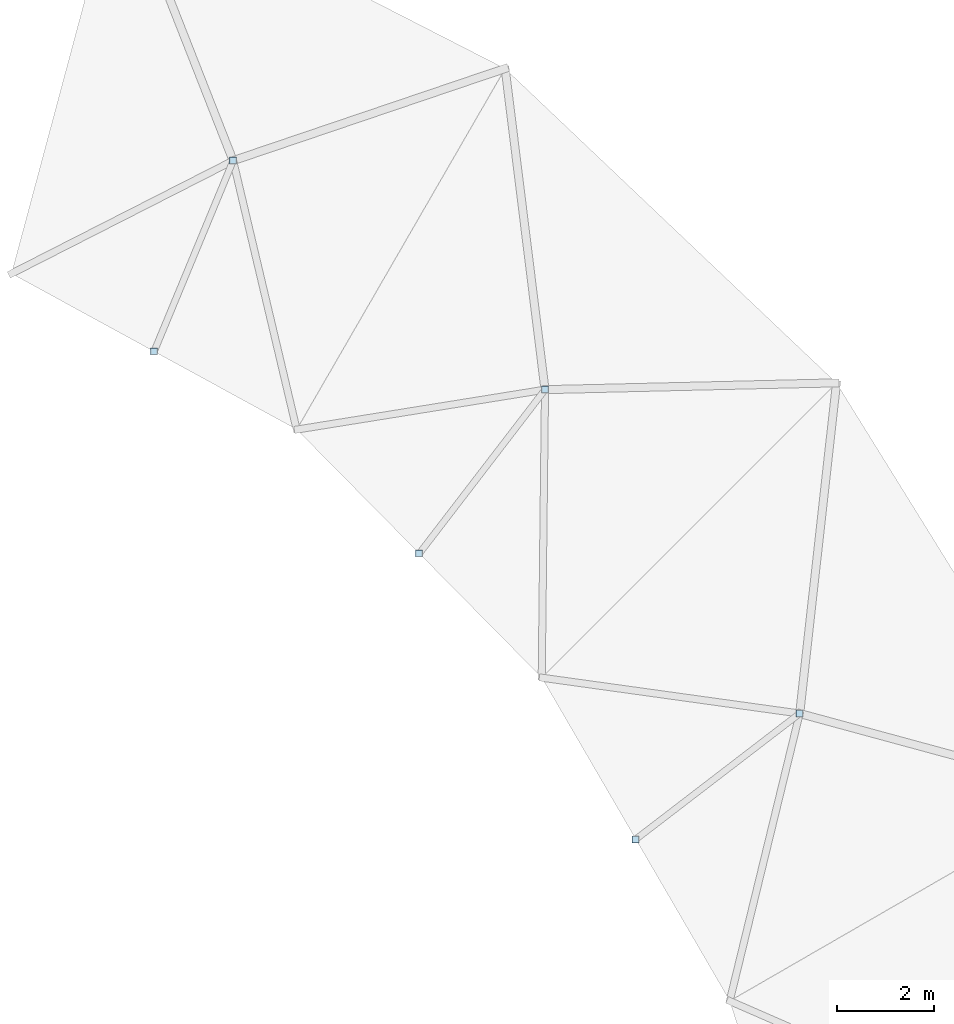
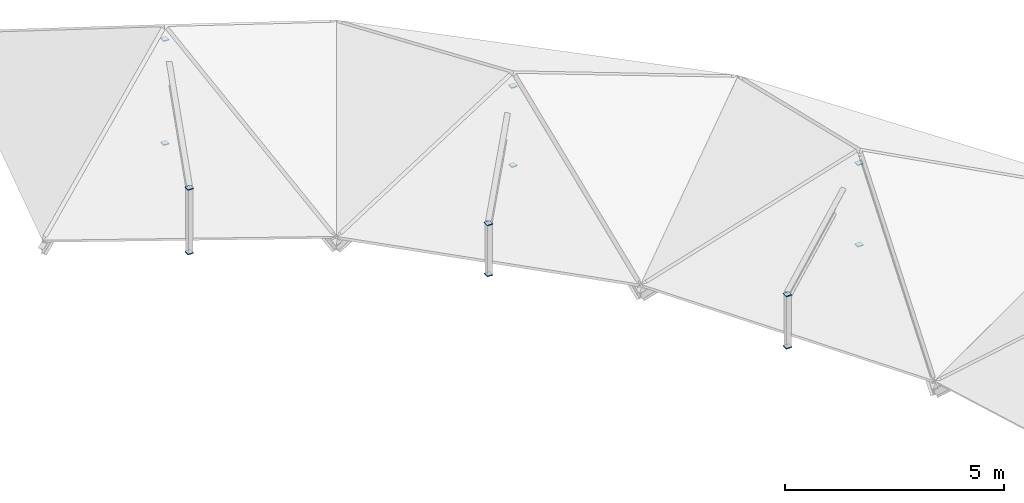
# One storey, part 24 of 28: 12 plates.
"""IFC4 building model written with IfcOpenShell, lengths in metres."""

from ifc_helpers import new_model, si_unit, direction, frame, origin, origin_2d, place, context, subcontext, project, spatial, rectangle, extrude, material, layer, layer_set, type_object, element, save


model = new_model("IFC4")

# Units and contexts
model_context = context("Model", 3, precision=1e-05, world=origin(), true_north=direction((0.0, 1.0)))
body_context = subcontext(model_context, "Body", "Model", "MODEL_VIEW")
ifc_project = project(units=[si_unit("LENGTHUNIT", "METRE"), si_unit("AREAUNIT", "SQUARE_METRE"), si_unit("VOLUMEUNIT", "CUBIC_METRE"), si_unit("PLANEANGLEUNIT", "RADIAN"), si_unit("MASSUNIT", "GRAM", prefix="KILO")], contexts=[model_context])

# Site, building, storey
site_placement = place(None, origin())
site = spatial("IfcSite", under=ifc_project, at=site_placement, CompositionType="ELEMENT")
building_placement = place(site_placement, origin())
building = spatial("IfcBuilding", under=site, at=building_placement, Name="Karori Crest Natural Sciences Institute", CompositionType="ELEMENT")
storey_placement = place(building_placement, frame((0.0, 0.0, 34.300048828125)))
storey = spatial("IfcBuildingStorey", under=building, at=storey_placement, Name="L08", CompositionType="ELEMENT", Elevation=34.300048828125)

# Plates
ifc_material = material(Name="Structural steel AS/NZS 3679.1 Grade 350", Category="steel")
ifc_layer = layer(ifc_material, 0.02490234375, Name="Structural steel AS/NZS 3679.1 Grade 350")
ifc_layer_set = layer_set([ifc_layer], Name="Structural steel AS/NZS 3679.1 Grade 350")
plate_type = type_object("IfcPlateType", Name="PLT-06-EL", PredefinedType="SHEET", material=ifc_layer_set)
for number, where, z_axis, x_axis, name in (
    (1, (88.974365234375, 71.9296875, -0.27001953125), (0.0, 0.0, 1.0), (1.0, 0.0, 0.0), "Hollow section end cap EP-0065"),
    (2, (88.974365234375, 71.9296875, 1.998046875), (0.0, 0.0, 1.0), (1.0, 0.0, 0.0), "Hollow section end cap EP-0066"),
    (3, (85.59228515625, 69.33447265625, -0.347900390625), (0.0, 0.0, 1.0), (1.0, 0.0, 0.0), "Hollow section end cap EP-0067"),
    (4, (85.59228515625, 69.33447265625, 1.10400390625), (0.0, 0.0, 1.0), (1.0, 0.0, 0.0), "Hollow section end cap EP-0068"),
    (5, (83.721923828125, 78.609619140625, -0.27001953125), (0.0, 0.0, 1.0), (1.0, 0.0, 0.0), "Hollow section end cap EP-0069"),
    (6, (83.721923828125, 78.609619140625, 1.93408203125), (0.0, 0.0, 1.0), (1.0, 0.0, 0.0), "Hollow section end cap EP-0070"),
    (7, (81.126708984375, 75.227294921875, -0.347900390625), (0.0, 0.0, 1.0), (1.0, 0.0, 0.0), "Hollow section end cap EP-0071"),
    (8, (81.126708984375, 75.227294921875, 1.068115234375), (0.0, 0.0, 1.0), (1.0, 0.0, 0.0), "Hollow section end cap EP-0072"),
    (9, (77.2890625, 83.3330078125, -0.27001953125), (0.0, 0.0, 1.0), (1.0, 0.0, 0.0), "Hollow section end cap EP-0073"),
    (10, (77.2890625, 83.3330078125, 2.6240234375), (0.0, 0.0, 1.0), (1.0, 0.0, 0.0), "Hollow section end cap EP-0074"),
    (11, (75.65771484375, 79.394287109375, -0.347900390625), (0.0, 0.0, 1.0), (1.0, 0.0, 0.0), "Hollow section end cap EP-0075"),
    (12, (75.65771484375, 79.394287109375, 1.445068359375), (0.0, 0.0, 1.0), (1.0, 0.0, 0.0), "Hollow section end cap EP-0076"),
):
    element("IfcPlate", number, at=place(storey_placement, frame(where, z_axis=z_axis, x_axis=x_axis)), inside=storey, type_object=plate_type, Name=name, PredefinedType="SHEET", context=body_context, shape_type="SweptSolid", body=[
        extrude(rectangle(XDim=0.14501953125, YDim=0.14501953125, at=origin_2d()), origin(), (0.0, 0.0, 1.0), 0.02490234375),
    ])

save(model, "model.ifc")
